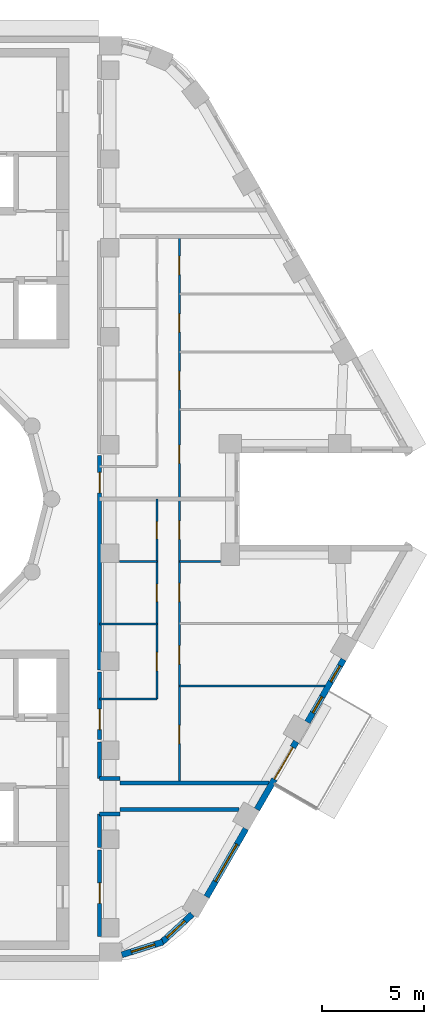
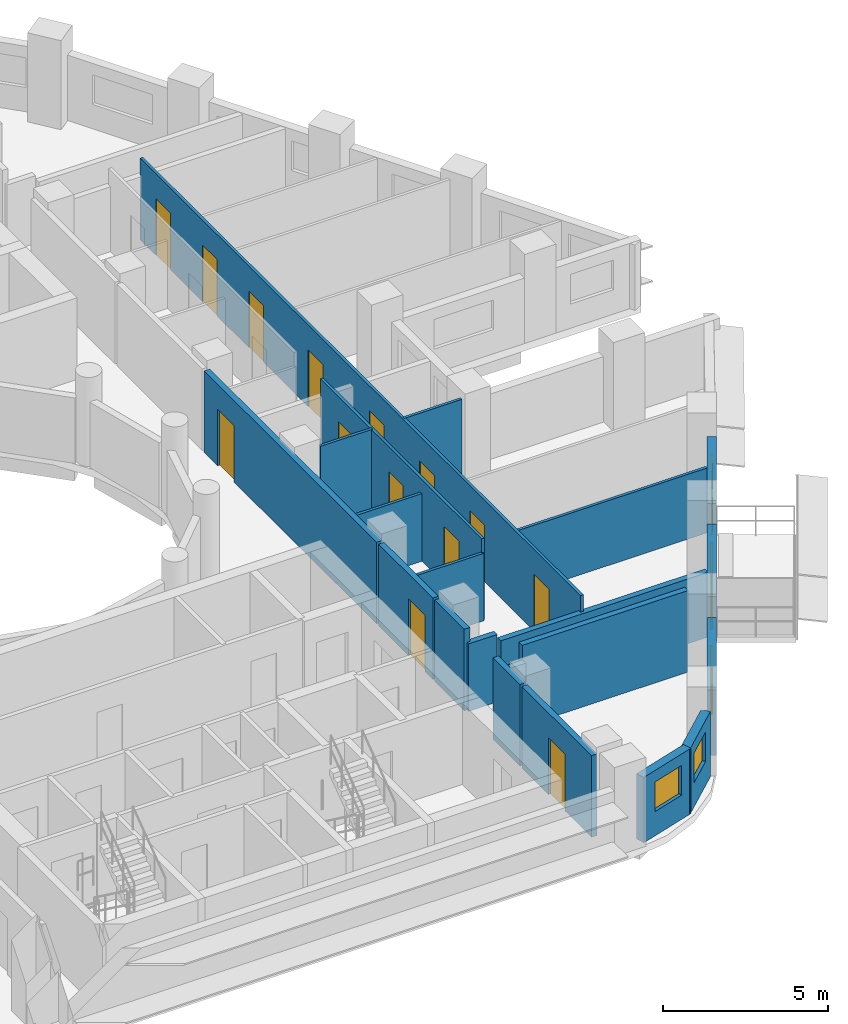
# One storey, part 5 of 12: 21 walls, 15 doors, 5 windows, 20 openings.
"""IFC4 building model written with IfcOpenShell, lengths in metres."""

from ifc_helpers import new_model, si_unit, direction, frame, frame_2d, origin, place, context, subcontext, project, spatial, rectangle, extrude, material, layer, layer_set, type_object, element, fill, save


model = new_model("IFC4")

# Units and contexts
model_context = context("Model", 3, precision=1e-05, world=origin(), true_north=direction((0.0, 1.0)))
body_context = subcontext(model_context, "Body", "Model", "MODEL_VIEW")
ifc_project = project(units=[si_unit("LENGTHUNIT", "METRE"), si_unit("AREAUNIT", "SQUARE_METRE"), si_unit("VOLUMEUNIT", "CUBIC_METRE"), si_unit("PLANEANGLEUNIT", "RADIAN"), si_unit("MASSUNIT", "GRAM", prefix="KILO")], contexts=[model_context])

# Site, building, storey
site_placement = place(None, origin())
site = spatial("IfcSite", under=ifc_project, at=site_placement, CompositionType="ELEMENT")
building_placement = place(site_placement, origin())
building = spatial("IfcBuilding", under=site, at=building_placement, Name="Nakaniwa Court", CompositionType="ELEMENT")
storey_placement = place(building_placement, frame((0.0, 0.0, 236.10009765625)))
storey = spatial("IfcBuildingStorey", under=building, at=storey_placement, Name="L61", CompositionType="ELEMENT", Elevation=236.10009765625)

# Wall, opening, door
ifc_material_1 = material(Name="Acoustic double stud partition")
ifc_layer_1 = layer(ifc_material_1, 0.199951171875)
ifc_layer_set_1 = layer_set([ifc_layer_1], Name="Acoustic double stud partition")
wall_type_1 = type_object("IfcWallType", Name="Acoustic double stud partition 200", PredefinedType="PARTITIONING", material=ifc_layer_set_1)
wall_1_placement = place(storey_placement, frame((89.5, 62.822998046875, 0.0), z_axis=(0.0, 0.0, 1.0), x_axis=(0.0, -1.0, 0.0)))
wall_1 = element("IfcWall", 1, at=wall_1_placement, inside=storey, type_object=wall_type_1, Name="Partition PW-057", PredefinedType="PARTITIONING", context=body_context, shape_type="SweptSolid", body=[
    extrude(rectangle(XDim=4.236083984375, YDim=0.199951171875, at=frame_2d((2.1181640625, 0.0))), origin(), (0.0, 0.0, 1.0), 3.02490234375),
])
opening_1_placement = place(wall_1_placement, frame((1.617919921875, 0.0, 0.0)))
opening_1 = element("IfcOpeningElement", 2, at=opening_1_placement, cuts=wall_1, Name="Opening D-02-01", PredefinedType="OPENING", context=body_context, shape_type="SweptSolid", body=[
    extrude(rectangle(XDim=1.0, YDim=2.10009765625, at=frame_2d((0.5, 1.050048828125))), frame((0.0, 0.10986328125, 0.0), z_axis=(0.0, -1.0, 0.0), x_axis=(1.0, 0.0, 0.0)), (0.0, 0.0, 1.0), 0.219970703125),
])
ifc_material_2 = material(Name="Solid core timber door set, black veneer", Category="wood")
door_type_1 = type_object("IfcDoorType", Name="Internal door 1000", OperationType="NOTDEFINED", PredefinedType="DOOR", material=ifc_material_2)
door_1_placement = place(opening_1_placement, origin())
door_1 = element("IfcDoor", 3, at=door_1_placement, inside=storey, type_object=door_type_1, Name="Door D-02-01 L61-029", OperationType="SINGLE_SWING_RIGHT", OverallHeight=2.10009765625, OverallWidth=1.0, PredefinedType="DOOR", context=body_context, shape_type="SweptSolid", body=[
    extrude(rectangle(XDim=1.0, YDim=2.10009765625, at=frame_2d((0.5, 1.050048828125))), frame((0.0, 0.02490234375, 0.0), z_axis=(0.0, -1.0, 0.0), x_axis=(1.0, 0.0, 0.0)), (0.0, 0.0, 1.0), 0.050048828125),
])
fill(opening_1, door_1)

# Walls
wall_2_placement = place(storey_placement, frame((89.5, 62.93701171875, 0.0), z_axis=(0.0, 0.0, 1.0), x_axis=(0.0, 1.0, 0.0)))
element("IfcWall", 4, at=wall_2_placement, inside=storey, type_object=wall_type_1, Name="Partition PW-058", PredefinedType="PARTITIONING", context=body_context, shape_type="SweptSolid", body=[
    extrude(rectangle(XDim=1.640869140625, YDim=0.199951171875, at=frame_2d((0.8203125, 0.0))), origin(), (0.0, 0.0, 1.0), 3.02490234375),
])
wall_3_placement = place(storey_placement, frame((89.5, 66.322021484375, 0.0), z_axis=(0.0, 0.0, 1.0), x_axis=(0.0, 1.0, 0.0)))
element("IfcWall", 5, at=wall_3_placement, inside=storey, type_object=wall_type_1, Name="Partition PW-059", PredefinedType="PARTITIONING", context=body_context, shape_type="SweptSolid", body=[
    extrude(rectangle(XDim=1.791015625, YDim=0.199951171875, at=frame_2d((0.8955078125, 0.0))), origin(), (0.0, 0.0, 1.0), 3.02490234375),
])

# Wall, opening, door
wall_4_placement = place(storey_placement, frame((89.5, 71.52294921875, 0.0), z_axis=(0.0, 0.0, 1.0), x_axis=(0.0, -1.0, 0.0)))
wall_4 = element("IfcWall", 6, at=wall_4_placement, inside=storey, type_object=wall_type_1, Name="Partition PW-060", PredefinedType="PARTITIONING", context=body_context, shape_type="SweptSolid", body=[
    extrude(rectangle(XDim=3.2958984375, YDim=0.199951171875, at=frame_2d((1.64794921875, 0.0))), origin(), (0.0, 0.0, 1.0), 3.02490234375),
])
opening_2_placement = place(wall_4_placement, frame((1.80810546875, 0.0, 0.0)))
opening_2 = element("IfcOpeningElement", 7, at=opening_2_placement, cuts=wall_4, Name="Opening D-01-01", PredefinedType="OPENING", context=body_context, shape_type="SweptSolid", body=[
    extrude(rectangle(XDim=1.0, YDim=2.10009765625, at=frame_2d((0.5, 1.050048828125))), frame((0.0, 0.10986328125, 0.0), z_axis=(0.0, -1.0, 0.0), x_axis=(1.0, 0.0, 0.0)), (0.0, 0.0, 1.0), 0.219970703125),
])
door_type_2 = type_object("IfcDoorType", Name="Flat entrance door 1000", OperationType="NOTDEFINED", PredefinedType="DOOR", material=ifc_material_2)
door_2_placement = place(opening_2_placement, origin())
door_2 = element("IfcDoor", 8, at=door_2_placement, inside=storey, type_object=door_type_2, Name="Door D-01-01 L61-030", OperationType="SINGLE_SWING_LEFT", OverallHeight=2.10009765625, OverallWidth=1.0, PredefinedType="DOOR", context=body_context, shape_type="SweptSolid", body=[
    extrude(rectangle(XDim=1.0, YDim=2.10009765625, at=frame_2d((0.5, 1.050048828125))), frame((0.0, 0.02490234375, 0.0), z_axis=(0.0, -1.0, 0.0), x_axis=(1.0, 0.0, 0.0)), (0.0, 0.0, 1.0), 0.050048828125),
])
fill(opening_2, door_2)

wall_5_placement = place(storey_placement, frame((89.5, 82.123046875, 0.0), z_axis=(0.0, 0.0, 1.0), x_axis=(0.0, -1.0, 0.0)))
wall_5 = element("IfcWall", 9, at=wall_5_placement, inside=storey, type_object=wall_type_1, Name="Partition PW-061", PredefinedType="PARTITIONING", context=body_context, shape_type="SweptSolid", body=[
    extrude(rectangle(XDim=10.486083984375, YDim=0.199951171875, at=frame_2d((5.2431640625, 0.0))), origin(), (0.0, 0.0, 1.0), 3.02490234375),
])
opening_3_placement = place(wall_5_placement, frame((0.822998046875, 0.0, 0.0)))
opening_3 = element("IfcOpeningElement", 10, at=opening_3_placement, cuts=wall_5, Name="Opening D-01-02", PredefinedType="OPENING", context=body_context, shape_type="SweptSolid", body=[
    extrude(rectangle(XDim=1.0, YDim=2.10009765625, at=frame_2d((0.5, 1.050048828125))), frame((0.0, 0.10986328125, 0.0), z_axis=(0.0, -1.0, 0.0), x_axis=(1.0, 0.0, 0.0)), (0.0, 0.0, 1.0), 0.219970703125),
])
door_3_placement = place(opening_3_placement, origin())
door_3 = element("IfcDoor", 11, at=door_3_placement, inside=storey, type_object=door_type_2, Name="Door D-01-02 L61-038", OperationType="SINGLE_SWING_LEFT", OverallHeight=2.10009765625, OverallWidth=1.0, PredefinedType="DOOR", context=body_context, shape_type="SweptSolid", body=[
    extrude(rectangle(XDim=1.0, YDim=2.10009765625, at=frame_2d((0.5, 1.050048828125))), frame((0.0, 0.02490234375, 0.0), z_axis=(0.0, -1.0, 0.0), x_axis=(1.0, 0.0, 0.0)), (0.0, 0.0, 1.0), 0.050048828125),
])
fill(opening_3, door_3)

# Walls
wall_6_placement = place(storey_placement, frame((90.5, 64.800048828125, 0.0), z_axis=(0.0, 0.0, 1.0), x_axis=(1.0, 0.0, 0.0)))
element("IfcWall", 12, at=wall_6_placement, inside=storey, type_object=wall_type_1, Name="Partition PW-074", PredefinedType="PARTITIONING", context=body_context, shape_type="SweptSolid", body=[
    extrude(rectangle(XDim=5.81884765625, YDim=0.199951171875, at=frame_2d((2.909423828125, 0.0))), origin(), (0.0, 0.0, 1.0), 3.02490234375),
])
for number, where, z_axis, x_axis, name in (
    (13, (89.5, 64.574951171875, 0.0), (0.0, 0.0, 1.0), (1.0, 0.0, 0.0), "Partition PW-076"),
    (14, (89.5, 66.324951171875, 0.0), (0.0, 0.0, 1.0), (1.0, 0.0, 0.0), "Partition PW-078"),
):
    element("IfcWall", number, at=place(storey_placement, frame(where, z_axis=z_axis, x_axis=x_axis)), inside=storey, type_object=wall_type_1, Name=name, PredefinedType="PARTITIONING", context=body_context, shape_type="SweptSolid", body=[
        extrude(rectangle(XDim=1.0, YDim=0.199951171875, at=frame_2d((0.5, 0.0))), origin(), (0.0, 0.0, 1.0), 2.5048828125),
    ])
wall_7_placement = place(storey_placement, frame((90.5, 66.10009765625, 0.0), z_axis=(0.0, 0.0, 1.0), x_axis=(1.0, 0.0, 0.0)))
element("IfcWall", 15, at=wall_7_placement, inside=storey, type_object=wall_type_1, Name="Partition PW-080", PredefinedType="PARTITIONING", context=body_context, shape_type="SweptSolid", body=[
    extrude(rectangle(XDim=7.282470703125, YDim=0.199951171875, at=frame_2d((3.64111328125, 0.0))), origin(), (0.0, 0.0, 1.0), 2.40478515625),
])

# Wall, opening, window
ifc_material_3 = material(Name="Charcoal ceramic cladding")
ifc_layer_2 = layer(ifc_material_3, 0.02, Name="Ceramic cladding")
ifc_material_4 = material(Name="Ventilated air cavity")
ifc_layer_3 = layer(ifc_material_4, 0.04, ventilated=True, Name="Ventilated cavity")
ifc_material_5 = material(Name="Mineral wool insulation")
ifc_layer_4 = layer(ifc_material_5, 0.1, Name="Insulation")
ifc_material_6 = material(Name="Cement bonded sheathing board")
ifc_layer_5 = layer(ifc_material_6, 0.012, Name="Sheathing")
ifc_material_7 = material(Name="Cold-formed galvanised stud frame with mineral wool infill")
ifc_layer_6 = layer(ifc_material_7, 0.1, Name="Stud frame")
ifc_material_8 = material(Name="Fire-rated gypsum plasterboard lining")
ifc_layer_7 = layer(ifc_material_8, 0.028, Name="Lining")
ifc_layer_set_2 = layer_set([ifc_layer_2, ifc_layer_3, ifc_layer_4, ifc_layer_5, ifc_layer_6, ifc_layer_7], Name="Charcoal ceramic faced external wall system")
wall_type_2 = type_object("IfcWallType", Name="Black ceramic faced external wall 300", PredefinedType="SOLIDWALL", material=ifc_layer_set_2)
wall_8_placement = place(storey_placement, frame((90.585693359375, 57.68408203125, 0.0), z_axis=(0.0, 0.0, 1.0), x_axis=(0.954941641926, 0.296793632875, 0.0)))
wall_8 = element("IfcWall", 16, at=wall_8_placement, inside=storey, type_object=wall_type_2, Name="L61 external wall 27", PredefinedType="SOLIDWALL", context=body_context, shape_type="SweptSolid", body=[
    extrude(rectangle(XDim=2.1025390625, YDim=0.300048828125, at=frame_2d((1.05126953125, 0.0))), origin(), (0.0, 0.0, 1.0), 2.4248046875),
])
opening_4_placement = place(wall_8_placement, frame((0.490234375, 0.0, 0.89990234375)))
opening_4 = element("IfcOpeningElement", 17, at=opening_4_placement, cuts=wall_8, Name="Opening W6.25", PredefinedType="OPENING", context=body_context, shape_type="SweptSolid", body=[
    extrude(rectangle(XDim=1.199951171875, YDim=1.10009765625, at=frame_2d((0.60009765625, 0.550048828125))), frame((0.0, 0.159912109375, 0.0), z_axis=(0.0, -1.0, 0.0), x_axis=(1.0, 0.0, 0.0)), (0.0, 0.0, 1.0), 0.320068359375),
])
ifc_material_9 = material(Name="Black anodised aluminium frame with dark low-E laminated double glazing", Category="aluminium")
window_type_1 = type_object("IfcWindowType", Name="Dark glass window 1200x1100 sill 900", PartitioningType="SINGLE_PANEL", PredefinedType="WINDOW", material=ifc_material_9)
window_1_placement = place(opening_4_placement, origin())
window_1 = element("IfcWindow", 18, at=window_1_placement, inside=storey, type_object=window_type_1, Name="L61 habitable room window 27-0", OverallHeight=1.10009765625, OverallWidth=1.199951171875, PartitioningType="SINGLE_PANEL", PredefinedType="WINDOW", context=body_context, shape_type="SweptSolid", body=[
    extrude(rectangle(XDim=1.199951171875, YDim=1.10009765625, at=frame_2d((0.60009765625, 0.550048828125))), frame((0.0, 0.030029296875, 0.0), z_axis=(0.0, -1.0, 0.0), x_axis=(1.0, 0.0, 0.0)), (0.0, 0.0, 1.0), 0.06005859375),
])
fill(opening_4, window_1)

wall_9_placement = place(storey_placement, frame((92.489501953125, 58.247314453125, 0.0), z_axis=(0.0, 0.0, 1.0), x_axis=(0.734830223907, 0.678251090698, 0.0)))
wall_9 = element("IfcWall", 19, at=wall_9_placement, inside=storey, type_object=wall_type_2, Name="L61 external wall 28", PredefinedType="SOLIDWALL", context=body_context, shape_type="SweptSolid", body=[
    extrude(rectangle(XDim=2.09716796875, YDim=0.300048828125, at=frame_2d((1.048583984375, 0.0))), origin(), (0.0, 0.0, 1.0), 2.4248046875),
])
opening_5_placement = place(wall_9_placement, frame((0.409423828125, 0.0, 0.89990234375)))
opening_5 = element("IfcOpeningElement", 20, at=opening_5_placement, cuts=wall_9, Name="Opening W6.26", PredefinedType="OPENING", context=body_context, shape_type="SweptSolid", body=[
    extrude(rectangle(XDim=1.199951171875, YDim=1.10009765625, at=frame_2d((0.60009765625, 0.550048828125))), frame((0.0, 0.159912109375, 0.0), z_axis=(0.0, -1.0, 0.0), x_axis=(1.0, 0.0, 0.0)), (0.0, 0.0, 1.0), 0.320068359375),
])
window_2_placement = place(opening_5_placement, origin())
window_2 = element("IfcWindow", 21, at=window_2_placement, inside=storey, type_object=window_type_1, Name="L61 habitable room window 28-0", OverallHeight=1.10009765625, OverallWidth=1.199951171875, PartitioningType="SINGLE_PANEL", PredefinedType="WINDOW", context=body_context, shape_type="SweptSolid", body=[
    extrude(rectangle(XDim=1.199951171875, YDim=1.10009765625, at=frame_2d((0.60009765625, 0.550048828125))), frame((0.0, 0.030029296875, 0.0), z_axis=(0.0, -1.0, 0.0), x_axis=(1.0, 0.0, 0.0)), (0.0, 0.0, 1.0), 0.06005859375),
])
fill(opening_5, window_2)

wall_10_placement = place(storey_placement, frame((94.73583984375, 60.523193359375, 0.0), z_axis=(0.0, 0.0, 1.0), x_axis=(0.499984490703, 0.866034357896, 0.0)))
wall_10 = element("IfcWall", 22, at=wall_10_placement, inside=storey, type_object=wall_type_2, Name="L61 external wall 29", PredefinedType="SOLIDWALL", context=body_context, shape_type="SweptSolid", body=[
    extrude(rectangle(XDim=3.84423828125, YDim=0.300048828125, at=frame_2d((1.922119140625, 0.0))), origin(), (0.0, 0.0, 1.0), 2.4248046875),
])
opening_6_placement = place(wall_10_placement, frame((0.8720703125, 0.0, 0.89990234375)))
opening_6 = element("IfcOpeningElement", 23, at=opening_6_placement, cuts=wall_10, Name="Opening W7.27", PredefinedType="OPENING", context=body_context, shape_type="SweptSolid", body=[
    extrude(rectangle(XDim=2.10009765625, YDim=1.10009765625, at=frame_2d((1.050048828125, 0.550048828125))), frame((0.0, 0.159912109375, 0.0), z_axis=(0.0, -1.0, 0.0), x_axis=(1.0, 0.0, 0.0)), (0.0, 0.0, 1.0), 0.320068359375),
])
window_type_2 = type_object("IfcWindowType", Name="Dark glass window 2100x1100 sill 900", PartitioningType="SINGLE_PANEL", PredefinedType="WINDOW", material=ifc_material_9)
window_3_placement = place(opening_6_placement, origin())
window_3 = element("IfcWindow", 24, at=window_3_placement, inside=storey, type_object=window_type_2, Name="L61 habitable room window 29-0", OverallHeight=1.10009765625, OverallWidth=2.10009765625, PartitioningType="SINGLE_PANEL", PredefinedType="WINDOW", context=body_context, shape_type="SweptSolid", body=[
    extrude(rectangle(XDim=2.10009765625, YDim=1.10009765625, at=frame_2d((1.050048828125, 0.550048828125))), frame((0.0, 0.030029296875, 0.0), z_axis=(0.0, -1.0, 0.0), x_axis=(1.0, 0.0, 0.0)), (0.0, 0.0, 1.0), 0.06005859375),
])
fill(opening_6, window_3)

# Wall, opening, door
wall_11_placement = place(storey_placement, frame((97.2041015625, 64.798095703125, 0.0), z_axis=(0.0, 0.0, 1.0), x_axis=(0.499984490703, 0.866034357896, 0.0)))
wall_11 = element("IfcWall", 25, at=wall_11_placement, inside=storey, type_object=wall_type_2, Name="L61 external wall 30", PredefinedType="SOLIDWALL", context=body_context, shape_type="SweptSolid", body=[
    extrude(rectangle(XDim=3.84423828125, YDim=0.300048828125, at=frame_2d((1.922119140625, 0.0))), origin(), (0.0, 0.0, 1.0), 2.4248046875),
])
opening_7_placement = place(wall_11_placement, frame((1.712646484375, 0.0, 0.0)))
opening_7 = element("IfcOpeningElement", 26, at=opening_7_placement, cuts=wall_11, Name="Opening XD12.01", PredefinedType="OPENING", context=body_context, shape_type="SweptSolid", body=[
    extrude(rectangle(XDim=1.800048828125, YDim=2.0, at=frame_2d((0.89990234375, 1.0))), frame((0.0, 0.159912109375, 0.0), z_axis=(0.0, -1.0, 0.0), x_axis=(1.0, 0.0, 0.0)), (0.0, 0.0, 1.0), 0.320068359375),
])
ifc_material_10 = material(Name="Black powder-coated aluminium frame with dark laminated glass", Category="aluminium")
door_type_3 = type_object("IfcDoorType", Name="Balcony sliding door 1800x2000", OperationType="SLIDING_TO_LEFT", PredefinedType="DOOR", material=ifc_material_10)
door_4_placement = place(opening_7_placement, origin())
door_4 = element("IfcDoor", 27, at=door_4_placement, inside=storey, type_object=door_type_3, Name="L61 balcony sliding door 01", OperationType="SLIDING_TO_LEFT", OverallHeight=2.0, OverallWidth=1.800048828125, PredefinedType="DOOR", context=body_context, shape_type="SweptSolid", body=[
    extrude(rectangle(XDim=1.800048828125, YDim=2.0, at=frame_2d((0.89990234375, 1.0))), frame((0.0, 0.02490234375, 0.0), z_axis=(0.0, -1.0, 0.0), x_axis=(1.0, 0.0, 0.0)), (0.0, 0.0, 1.0), 0.050048828125),
])
fill(opening_7, door_4)

# Wall, openings, windows
wall_12_placement = place(storey_placement, frame((99.672119140625, 69.072998046875, 0.0), z_axis=(0.0, 0.0, 1.0), x_axis=(0.500010404316, 0.866019396766, 0.0)))
wall_12 = element("IfcWall", 28, at=wall_12_placement, inside=storey, type_object=wall_type_2, Name="L61 external wall 31", PredefinedType="SOLIDWALL", context=body_context, shape_type="SweptSolid", body=[
    extrude(rectangle(XDim=3.54736328125, YDim=0.300048828125, at=frame_2d((1.773681640625, 0.0))), origin(), (0.0, 0.0, 1.0), 2.4248046875),
])
opening_8_placement = place(wall_12_placement, frame((0.53662109375, 0.0, 0.89990234375)))
opening_8 = element("IfcOpeningElement", 29, at=opening_8_placement, cuts=wall_12, Name="Opening W9.28", PredefinedType="OPENING", context=body_context, shape_type="SweptSolid", body=[
    extrude(rectangle(XDim=0.89990234375, YDim=1.10009765625, at=frame_2d((0.449951171875, 0.550048828125))), frame((0.0, 0.159912109375, 0.0), z_axis=(0.0, -1.0, 0.0), x_axis=(1.0, 0.0, 0.0)), (0.0, 0.0, 1.0), 0.320068359375),
])
opening_9_placement = place(wall_12_placement, frame((2.2861328125, 0.0, 0.89990234375)))
opening_9 = element("IfcOpeningElement", 30, at=opening_9_placement, cuts=wall_12, Name="Opening W9.29", PredefinedType="OPENING", context=body_context, shape_type="SweptSolid", body=[
    extrude(rectangle(XDim=0.89990234375, YDim=1.10009765625, at=frame_2d((0.449951171875, 0.550048828125))), frame((0.0, 0.159912109375, 0.0), z_axis=(0.0, -1.0, 0.0), x_axis=(1.0, 0.0, 0.0)), (0.0, 0.0, 1.0), 0.320068359375),
])
window_type_3 = type_object("IfcWindowType", Name="Dark glass window 900x1100 sill 900", PartitioningType="SINGLE_PANEL", PredefinedType="WINDOW", material=ifc_material_9)
window_4_placement = place(opening_8_placement, origin())
window_4 = element("IfcWindow", 31, at=window_4_placement, inside=storey, type_object=window_type_3, Name="L61 living window 31-0", OverallHeight=1.10009765625, OverallWidth=0.89990234375, PartitioningType="SINGLE_PANEL", PredefinedType="WINDOW", context=body_context, shape_type="SweptSolid", body=[
    extrude(rectangle(XDim=0.89990234375, YDim=1.10009765625, at=frame_2d((0.449951171875, 0.550048828125))), frame((0.0, 0.030029296875, 0.0), z_axis=(0.0, -1.0, 0.0), x_axis=(1.0, 0.0, 0.0)), (0.0, 0.0, 1.0), 0.06005859375),
])
fill(opening_8, window_4)
window_5_placement = place(opening_9_placement, origin())
window_5 = element("IfcWindow", 32, at=window_5_placement, inside=storey, type_object=window_type_3, Name="L61 bedroom window 31-1", OverallHeight=1.10009765625, OverallWidth=0.89990234375, PartitioningType="SINGLE_PANEL", PredefinedType="WINDOW", context=body_context, shape_type="SweptSolid", body=[
    extrude(rectangle(XDim=0.89990234375, YDim=1.10009765625, at=frame_2d((0.449951171875, 0.550048828125))), frame((0.0, 0.030029296875, 0.0), z_axis=(0.0, -1.0, 0.0), x_axis=(1.0, 0.0, 0.0)), (0.0, 0.0, 1.0), 0.06005859375),
])
fill(opening_9, window_5)

# Wall
ifc_material_11 = material(Name="Single stud plasterboard partition")
ifc_layer_8 = layer(ifc_material_11, 0.10009765625)
ifc_layer_set_3 = layer_set([ifc_layer_8], Name="Single stud plasterboard partition")
wall_type_3 = type_object("IfcWallType", Name="Single stud plasterboard partition 100", PredefinedType="PARTITIONING", material=ifc_layer_set_3)
wall_13_placement = place(storey_placement, frame((89.5, 73.875, 0.0), z_axis=(0.0, 0.0, 1.0), x_axis=(1.0, 0.0, 0.0)))
element("IfcWall", 33, at=wall_13_placement, inside=storey, type_object=wall_type_3, Name="Partition PW-090", PredefinedType="PARTITIONING", context=body_context, shape_type="SweptSolid", body=[
    extrude(rectangle(XDim=2.800048828125, YDim=0.10009765625, at=frame_2d((1.39990234375, 0.0))), origin(), (0.0, 0.0, 1.0), 2.5048828125),
])

# Wall, openings, doors
wall_14_placement = place(storey_placement, frame((92.300048828125, 70.199951171875, 0.0), z_axis=(0.0, 0.0, 1.0), x_axis=(0.0, 1.0, 0.0)))
wall_14 = element("IfcWall", 34, at=wall_14_placement, inside=storey, type_object=wall_type_3, Name="Partition PW-091", PredefinedType="PARTITIONING", context=body_context, shape_type="SweptSolid", body=[
    extrude(rectangle(XDim=9.800048828125, YDim=0.10009765625, at=frame_2d((4.89990234375, 0.0))), origin(), (0.0, 0.0, 1.0), 3.02490234375),
])
opening_10_placement = place(wall_14_placement, frame((1.387939453125, 0.0, 0.0)))
opening_10 = element("IfcOpeningElement", 35, at=opening_10_placement, cuts=wall_14, Name="Opening D-33-01", PredefinedType="OPENING", context=body_context, shape_type="SweptSolid", body=[
    extrude(rectangle(XDim=0.89990234375, YDim=2.10009765625, at=frame_2d((0.449951171875, 1.050048828125))), frame((0.0, 0.06005859375, 0.0), z_axis=(0.0, -1.0, 0.0), x_axis=(1.0, 0.0, 0.0)), (0.0, 0.0, 1.0), 0.1201171875),
])
opening_11_placement = place(wall_14_placement, frame((4.781005859375, 0.0, 0.0)))
opening_11 = element("IfcOpeningElement", 36, at=opening_11_placement, cuts=wall_14, Name="Opening D-03-01", PredefinedType="OPENING", context=body_context, shape_type="SweptSolid", body=[
    extrude(rectangle(XDim=0.85009765625, YDim=2.10009765625, at=frame_2d((0.425048828125, 1.050048828125))), frame((0.0, 0.06005859375, 0.0), z_axis=(0.0, -1.0, 0.0), x_axis=(1.0, 0.0, 0.0)), (0.0, 0.0, 1.0), 0.1201171875),
])
opening_12_placement = place(wall_14_placement, frame((7.843994140625, 0.0, 0.0)))
opening_12 = element("IfcOpeningElement", 37, at=opening_12_placement, cuts=wall_14, Name="Opening D-03-02", PredefinedType="OPENING", context=body_context, shape_type="SweptSolid", body=[
    extrude(rectangle(XDim=0.85009765625, YDim=2.10009765625, at=frame_2d((0.425048828125, 1.050048828125))), frame((0.0, 0.06005859375, 0.0), z_axis=(0.0, -1.0, 0.0), x_axis=(1.0, 0.0, 0.0)), (0.0, 0.0, 1.0), 0.1201171875),
])
ifc_material_12 = material(Name="Moisture sealed timber door set", Category="wood")
door_type_4 = type_object("IfcDoorType", Name="Bathroom door 850", OperationType="NOTDEFINED", PredefinedType="DOOR", material=ifc_material_12)
door_5_placement = place(opening_11_placement, origin())
door_5 = element("IfcDoor", 38, at=door_5_placement, inside=storey, type_object=door_type_4, Name="Door D-03-01 L61-032", OperationType="SINGLE_SWING_LEFT", OverallHeight=2.10009765625, OverallWidth=0.85009765625, PredefinedType="DOOR", context=body_context, shape_type="SweptSolid", body=[
    extrude(rectangle(XDim=0.85009765625, YDim=2.10009765625, at=frame_2d((0.425048828125, 1.050048828125))), frame((0.0, 0.02490234375, 0.0), z_axis=(0.0, -1.0, 0.0), x_axis=(1.0, 0.0, 0.0)), (0.0, 0.0, 1.0), 0.050048828125),
])
fill(opening_11, door_5)
door_6_placement = place(opening_12_placement, origin())
door_6 = element("IfcDoor", 39, at=door_6_placement, inside=storey, type_object=door_type_4, Name="Door D-03-02 L61-033", OperationType="SINGLE_SWING_RIGHT", OverallHeight=2.10009765625, OverallWidth=0.85009765625, PredefinedType="DOOR", context=body_context, shape_type="SweptSolid", body=[
    extrude(rectangle(XDim=0.85009765625, YDim=2.10009765625, at=frame_2d((0.425048828125, 1.050048828125))), frame((0.0, 0.02490234375, 0.0), z_axis=(0.0, -1.0, 0.0), x_axis=(1.0, 0.0, 0.0)), (0.0, 0.0, 1.0), 0.050048828125),
])
fill(opening_12, door_6)
door_type_5 = type_object("IfcDoorType", Name="Internal door 900", OperationType="NOTDEFINED", PredefinedType="DOOR", material=ifc_material_2)
door_7_placement = place(opening_10_placement, origin())
door_7 = element("IfcDoor", 40, at=door_7_placement, inside=storey, type_object=door_type_5, Name="Door D-33-01 L61-031", OperationType="SINGLE_SWING_RIGHT", OverallHeight=2.10009765625, OverallWidth=0.89990234375, PredefinedType="DOOR", context=body_context, shape_type="SweptSolid", body=[
    extrude(rectangle(XDim=0.89990234375, YDim=2.10009765625, at=frame_2d((0.449951171875, 1.050048828125))), frame((0.0, 0.02490234375, 0.0), z_axis=(0.0, -1.0, 0.0), x_axis=(1.0, 0.0, 0.0)), (0.0, 0.0, 1.0), 0.050048828125),
])
fill(opening_10, door_7)

# Walls
wall_15_placement = place(storey_placement, frame((89.5, 70.199951171875, 0.0), z_axis=(0.0, 0.0, 1.0), x_axis=(1.0, 0.0, 0.0)))
element("IfcWall", 41, at=wall_15_placement, inside=storey, type_object=wall_type_3, Name="Partition PW-093", PredefinedType="PARTITIONING", context=body_context, shape_type="SweptSolid", body=[
    extrude(rectangle(XDim=2.800048828125, YDim=0.10009765625, at=frame_2d((1.39990234375, 0.0))), origin(), (0.0, 0.0, 1.0), 2.5048828125),
])
wall_16_placement = place(storey_placement, frame((90.469970703125, 76.93798828125, 0.0), z_axis=(0.0, 0.0, 1.0), x_axis=(1.0, 0.0, 0.0)))
element("IfcWall", 42, at=wall_16_placement, inside=storey, type_object=wall_type_3, Name="Partition PW-094", PredefinedType="PARTITIONING", context=body_context, shape_type="SweptSolid", body=[
    extrude(rectangle(XDim=1.830078125, YDim=0.10009765625, at=frame_2d((0.9150390625, 0.0))), origin(), (0.0, 0.0, 1.0), 3.02490234375),
])

# Wall, openings, doors
wall_17_placement = place(storey_placement, frame((93.39990234375, 92.85009765625, 0.0), z_axis=(0.0, 0.0, 1.0), x_axis=(0.0, -1.0, 0.0)))
wall_17 = element("IfcWall", 43, at=wall_17_placement, inside=storey, type_object=wall_type_3, Name="Partition PW-096", PredefinedType="PARTITIONING", context=body_context, shape_type="SweptSolid", body=[
    extrude(rectangle(XDim=26.75, YDim=0.10009765625, at=frame_2d((13.375, 0.0))), origin(), (0.0, 0.0, 1.0), 3.02490234375),
])
opening_13_placement = place(wall_17_placement, frame((23.927001953125, 0.0, 0.0)))
opening_13 = element("IfcOpeningElement", 44, at=opening_13_placement, cuts=wall_17, Name="Opening D-33-02", PredefinedType="OPENING", context=body_context, shape_type="SweptSolid", body=[
    extrude(rectangle(XDim=0.89990234375, YDim=2.10009765625, at=frame_2d((0.449951171875, 1.050048828125))), frame((0.0, 0.06005859375, 0.0), z_axis=(0.0, -1.0, 0.0), x_axis=(1.0, 0.0, 0.0)), (0.0, 0.0, 1.0), 0.1201171875),
])
opening_14_placement = place(wall_17_placement, frame((20.028076171875, 0.0, 0.0)))
opening_14 = element("IfcOpeningElement", 45, at=opening_14_placement, cuts=wall_17, Name="Opening D-33-03", PredefinedType="OPENING", context=body_context, shape_type="SweptSolid", body=[
    extrude(rectangle(XDim=0.89990234375, YDim=2.10009765625, at=frame_2d((0.449951171875, 1.050048828125))), frame((0.0, 0.06005859375, 0.0), z_axis=(0.0, -1.0, 0.0), x_axis=(1.0, 0.0, 0.0)), (0.0, 0.0, 1.0), 0.1201171875),
])
opening_15_placement = place(wall_17_placement, frame((16.97705078125, 0.0, 0.0)))
opening_15 = element("IfcOpeningElement", 46, at=opening_15_placement, cuts=wall_17, Name="Opening D-33-04", PredefinedType="OPENING", context=body_context, shape_type="SweptSolid", body=[
    extrude(rectangle(XDim=0.89990234375, YDim=2.10009765625, at=frame_2d((0.449951171875, 1.050048828125))), frame((0.0, 0.06005859375, 0.0), z_axis=(0.0, -1.0, 0.0), x_axis=(1.0, 0.0, 0.0)), (0.0, 0.0, 1.0), 0.1201171875),
])
opening_16_placement = place(wall_17_placement, frame((13.926025390625, 0.0, 0.0)))
opening_16 = element("IfcOpeningElement", 47, at=opening_16_placement, cuts=wall_17, Name="Opening D-33-05", PredefinedType="OPENING", context=body_context, shape_type="SweptSolid", body=[
    extrude(rectangle(XDim=0.89990234375, YDim=2.10009765625, at=frame_2d((0.449951171875, 1.050048828125))), frame((0.0, 0.06005859375, 0.0), z_axis=(0.0, -1.0, 0.0), x_axis=(1.0, 0.0, 0.0)), (0.0, 0.0, 1.0), 0.1201171875),
])
opening_17_placement = place(wall_17_placement, frame((10.2060546875, 0.0, 0.0)))
opening_17 = element("IfcOpeningElement", 48, at=opening_17_placement, cuts=wall_17, Name="Opening D-33-07", PredefinedType="OPENING", context=body_context, shape_type="SweptSolid", body=[
    extrude(rectangle(XDim=0.89990234375, YDim=2.10009765625, at=frame_2d((0.449951171875, 1.050048828125))), frame((0.0, 0.06005859375, 0.0), z_axis=(0.0, -1.0, 0.0), x_axis=(1.0, 0.0, 0.0)), (0.0, 0.0, 1.0), 0.1201171875),
])
opening_18_placement = place(wall_17_placement, frame((6.60205078125, 0.0, 0.0)))
opening_18 = element("IfcOpeningElement", 49, at=opening_18_placement, cuts=wall_17, Name="Opening D-33-08", PredefinedType="OPENING", context=body_context, shape_type="SweptSolid", body=[
    extrude(rectangle(XDim=0.89990234375, YDim=2.10009765625, at=frame_2d((0.449951171875, 1.050048828125))), frame((0.0, 0.06005859375, 0.0), z_axis=(0.0, -1.0, 0.0), x_axis=(1.0, 0.0, 0.0)), (0.0, 0.0, 1.0), 0.1201171875),
])
opening_19_placement = place(wall_17_placement, frame((3.781005859375, 0.0, 0.0)))
opening_19 = element("IfcOpeningElement", 50, at=opening_19_placement, cuts=wall_17, Name="Opening D-33-09", PredefinedType="OPENING", context=body_context, shape_type="SweptSolid", body=[
    extrude(rectangle(XDim=0.89990234375, YDim=2.10009765625, at=frame_2d((0.449951171875, 1.050048828125))), frame((0.0, 0.06005859375, 0.0), z_axis=(0.0, -1.0, 0.0), x_axis=(1.0, 0.0, 0.0)), (0.0, 0.0, 1.0), 0.1201171875),
])
opening_20_placement = place(wall_17_placement, frame((0.9599609375, 0.0, 0.0)))
opening_20 = element("IfcOpeningElement", 51, at=opening_20_placement, cuts=wall_17, Name="Opening D-33-10", PredefinedType="OPENING", context=body_context, shape_type="SweptSolid", body=[
    extrude(rectangle(XDim=0.89990234375, YDim=2.10009765625, at=frame_2d((0.449951171875, 1.050048828125))), frame((0.0, 0.06005859375, 0.0), z_axis=(0.0, -1.0, 0.0), x_axis=(1.0, 0.0, 0.0)), (0.0, 0.0, 1.0), 0.1201171875),
])
door_8_placement = place(opening_13_placement, origin())
door_8 = element("IfcDoor", 52, at=door_8_placement, inside=storey, type_object=door_type_5, Name="Door D-33-02 L61-034", OperationType="SINGLE_SWING_LEFT", OverallHeight=2.10009765625, OverallWidth=0.89990234375, PredefinedType="DOOR", context=body_context, shape_type="SweptSolid", body=[
    extrude(rectangle(XDim=0.89990234375, YDim=2.10009765625, at=frame_2d((0.449951171875, 1.050048828125))), frame((0.0, 0.02490234375, 0.0), z_axis=(0.0, -1.0, 0.0), x_axis=(1.0, 0.0, 0.0)), (0.0, 0.0, 1.0), 0.050048828125),
])
fill(opening_13, door_8)
door_9_placement = place(opening_14_placement, origin())
door_9 = element("IfcDoor", 53, at=door_9_placement, inside=storey, type_object=door_type_5, Name="Door D-33-03 L61-035", OperationType="SINGLE_SWING_RIGHT", OverallHeight=2.10009765625, OverallWidth=0.89990234375, PredefinedType="DOOR", context=body_context, shape_type="SweptSolid", body=[
    extrude(rectangle(XDim=0.89990234375, YDim=2.10009765625, at=frame_2d((0.449951171875, 1.050048828125))), frame((0.0, 0.02490234375, 0.0), z_axis=(0.0, -1.0, 0.0), x_axis=(1.0, 0.0, 0.0)), (0.0, 0.0, 1.0), 0.050048828125),
])
fill(opening_14, door_9)
door_10_placement = place(opening_15_placement, origin())
door_10 = element("IfcDoor", 54, at=door_10_placement, inside=storey, type_object=door_type_5, Name="Door D-33-04 L61-036", OperationType="SINGLE_SWING_LEFT", OverallHeight=2.10009765625, OverallWidth=0.89990234375, PredefinedType="DOOR", context=body_context, shape_type="SweptSolid", body=[
    extrude(rectangle(XDim=0.89990234375, YDim=2.10009765625, at=frame_2d((0.449951171875, 1.050048828125))), frame((0.0, 0.02490234375, 0.0), z_axis=(0.0, -1.0, 0.0), x_axis=(1.0, 0.0, 0.0)), (0.0, 0.0, 1.0), 0.050048828125),
])
fill(opening_15, door_10)
door_11_placement = place(opening_16_placement, origin())
door_11 = element("IfcDoor", 55, at=door_11_placement, inside=storey, type_object=door_type_5, Name="Door D-33-05 L61-037", OperationType="SINGLE_SWING_RIGHT", OverallHeight=2.10009765625, OverallWidth=0.89990234375, PredefinedType="DOOR", context=body_context, shape_type="SweptSolid", body=[
    extrude(rectangle(XDim=0.89990234375, YDim=2.10009765625, at=frame_2d((0.449951171875, 1.050048828125))), frame((0.0, 0.02490234375, 0.0), z_axis=(0.0, -1.0, 0.0), x_axis=(1.0, 0.0, 0.0)), (0.0, 0.0, 1.0), 0.050048828125),
])
fill(opening_16, door_11)
door_12_placement = place(opening_17_placement, origin())
door_12 = element("IfcDoor", 56, at=door_12_placement, inside=storey, type_object=door_type_5, Name="Door D-33-07 L61-042", OperationType="SINGLE_SWING_LEFT", OverallHeight=2.10009765625, OverallWidth=0.89990234375, PredefinedType="DOOR", context=body_context, shape_type="SweptSolid", body=[
    extrude(rectangle(XDim=0.89990234375, YDim=2.10009765625, at=frame_2d((0.449951171875, 1.050048828125))), frame((0.0, 0.02490234375, 0.0), z_axis=(0.0, -1.0, 0.0), x_axis=(1.0, 0.0, 0.0)), (0.0, 0.0, 1.0), 0.050048828125),
])
fill(opening_17, door_12)
door_13_placement = place(opening_18_placement, origin())
door_13 = element("IfcDoor", 57, at=door_13_placement, inside=storey, type_object=door_type_5, Name="Door D-33-08 L61-043", OperationType="SINGLE_SWING_RIGHT", OverallHeight=2.10009765625, OverallWidth=0.89990234375, PredefinedType="DOOR", context=body_context, shape_type="SweptSolid", body=[
    extrude(rectangle(XDim=0.89990234375, YDim=2.10009765625, at=frame_2d((0.449951171875, 1.050048828125))), frame((0.0, 0.02490234375, 0.0), z_axis=(0.0, -1.0, 0.0), x_axis=(1.0, 0.0, 0.0)), (0.0, 0.0, 1.0), 0.050048828125),
])
fill(opening_18, door_13)
door_14_placement = place(opening_19_placement, origin())
door_14 = element("IfcDoor", 58, at=door_14_placement, inside=storey, type_object=door_type_5, Name="Door D-33-09 L61-044", OperationType="SINGLE_SWING_LEFT", OverallHeight=2.10009765625, OverallWidth=0.89990234375, PredefinedType="DOOR", context=body_context, shape_type="SweptSolid", body=[
    extrude(rectangle(XDim=0.89990234375, YDim=2.10009765625, at=frame_2d((0.449951171875, 1.050048828125))), frame((0.0, 0.02490234375, 0.0), z_axis=(0.0, -1.0, 0.0), x_axis=(1.0, 0.0, 0.0)), (0.0, 0.0, 1.0), 0.050048828125),
])
fill(opening_19, door_14)
door_15_placement = place(opening_20_placement, origin())
door_15 = element("IfcDoor", 59, at=door_15_placement, inside=storey, type_object=door_type_5, Name="Door D-33-10 L61-045", OperationType="SINGLE_SWING_RIGHT", OverallHeight=2.10009765625, OverallWidth=0.89990234375, PredefinedType="DOOR", context=body_context, shape_type="SweptSolid", body=[
    extrude(rectangle(XDim=0.89990234375, YDim=2.10009765625, at=frame_2d((0.449951171875, 1.050048828125))), frame((0.0, 0.02490234375, 0.0), z_axis=(0.0, -1.0, 0.0), x_axis=(1.0, 0.0, 0.0)), (0.0, 0.0, 1.0), 0.050048828125),
])
fill(opening_20, door_15)

# Walls
wall_18_placement = place(storey_placement, frame((93.39990234375, 70.845947265625, 0.0), z_axis=(0.0, 0.0, 1.0), x_axis=(1.0, 0.0, 0.0)))
element("IfcWall", 60, at=wall_18_placement, inside=storey, type_object=wall_type_3, Name="Partition PW-097", PredefinedType="PARTITIONING", context=body_context, shape_type="SweptSolid", body=[
    extrude(rectangle(XDim=7.122802734375, YDim=0.10009765625, at=frame_2d((3.5615234375, 0.0))), origin(), (0.0, 0.0, 1.0), 2.40478515625),
])
wall_19_placement = place(storey_placement, frame((93.39990234375, 76.948974609375, 0.0), z_axis=(0.0, 0.0, 1.0), x_axis=(1.0, 0.0, 0.0)))
element("IfcWall", 61, at=wall_19_placement, inside=storey, type_object=wall_type_3, Name="Partition PW-099", PredefinedType="PARTITIONING", context=body_context, shape_type="SweptSolid", body=[
    extrude(rectangle(XDim=2.029541015625, YDim=0.10009765625, at=frame_2d((1.0146484375, 0.0))), origin(), (0.0, 0.0, 1.0), 3.02490234375),
])

save(model, "model.ifc")
